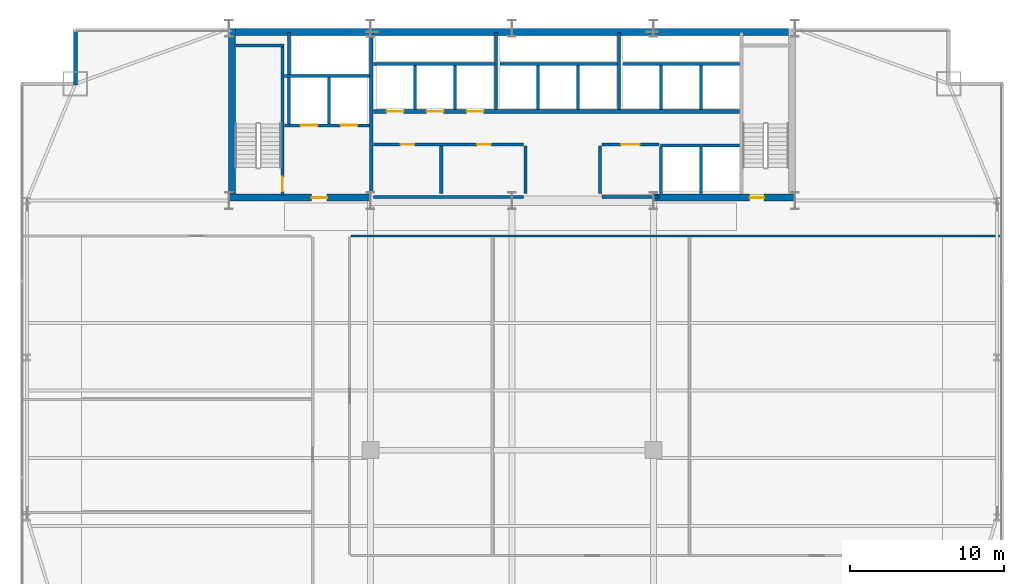
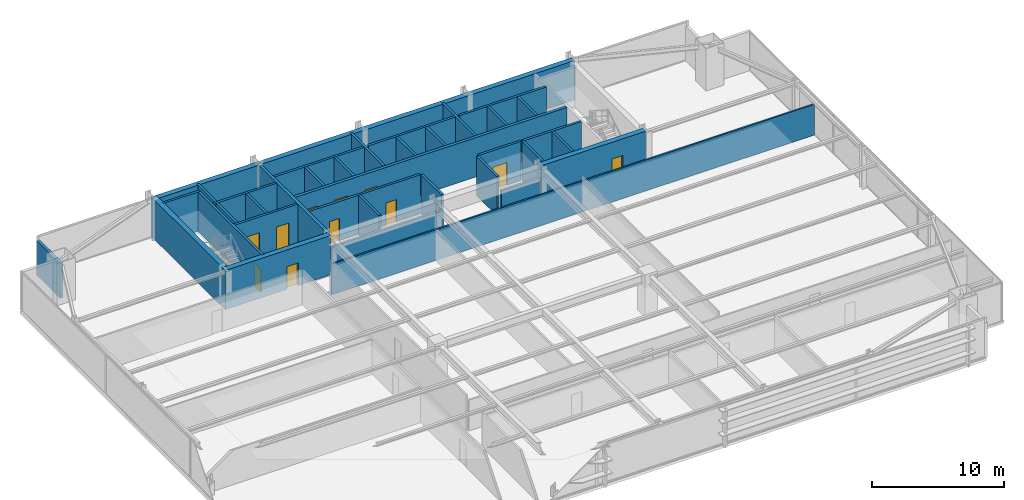
# One storey, part 29 of 32: 35 walls, 11 doors, 11 openings.
"""IFC4 building model written with IfcOpenShell, lengths in metres."""

from ifc_helpers import new_model, si_unit, direction, frame, frame_2d, origin, place, context, subcontext, project, spatial, rectangle, extrude, source, transform, mapped, material, layer, layer_set, type_object, type_shapes, element, fill, save


model = new_model("IFC4")

# Units and contexts
model_context = context("Model", 3, precision=1e-05, world=origin(), true_north=direction((0.0, 1.0)))
body_context = subcontext(model_context, "Body", "Model", "MODEL_VIEW")
ifc_project = project(units=[si_unit("LENGTHUNIT", "METRE"), si_unit("AREAUNIT", "SQUARE_METRE"), si_unit("VOLUMEUNIT", "CUBIC_METRE"), si_unit("PLANEANGLEUNIT", "RADIAN"), si_unit("MASSUNIT", "GRAM", prefix="KILO")], contexts=[model_context])

# Site, building, storey
site_placement = place(None, origin())
site = spatial("IfcSite", under=ifc_project, at=site_placement, CompositionType="ELEMENT")
building_placement = place(site_placement, origin())
building = spatial("IfcBuilding", under=site, at=building_placement, Name="Varnel Quay Broadcast Tower", CompositionType="ELEMENT")
storey_placement = place(building_placement, frame((0.0, 0.0, 54.89990234375)))
storey = spatial("IfcBuildingStorey", under=building, at=storey_placement, Name="L12", CompositionType="ELEMENT", Elevation=54.89990234375)

# Wall, opening, door
ifc_material_1 = material(Name="Concrete CSA A23.3 C50/60", Category="concrete")
ifc_layer_1 = layer(ifc_material_1, 0.199951171875, Name="Concrete CSA A23.3 C50/60")
ifc_layer_set_1 = layer_set([ifc_layer_1], Name="Concrete CSA A23.3 C50/60")
wall_type_1 = type_object("IfcWallType", Name="Wall_CoreShaftShear200", PredefinedType="SHEAR", material=ifc_layer_set_1)
wall_1_placement = place(storey_placement, frame((19.080078125, 35.949951171875, 0.0), z_axis=(0.0, 0.0, 1.0), x_axis=(0.0, 1.0, 0.0)))
wall_1 = element("IfcWall", 1, at=wall_1_placement, inside=storey, type_object=wall_type_1, Name="L12 Stair 1 East Structural Wall", PredefinedType="SHEAR", context=body_context, shape_type="SweptSolid", body=[
    extrude(rectangle(XDim=9.650146484375, YDim=0.199951171875, at=frame_2d((4.8251953125, 0.0))), origin(), (0.0, 0.0, 1.0), 3.650146484375),
])
opening_1_placement = place(wall_1_placement, frame((0.25, 0.0, 0.0)))
opening_1 = element("IfcOpeningElement", 2, at=opening_1_placement, cuts=wall_1, Name="Opening D-L12-S1", PredefinedType="OPENING", context=body_context, shape_type="SweptSolid", body=[
    extrude(rectangle(XDim=0.949951171875, YDim=2.10009765625, at=frame_2d((0.47509765625, 1.050048828125))), frame((0.0, 0.10986328125, 0.0), z_axis=(0.0, -1.0, 0.0), x_axis=(1.0, 0.0, 0.0)), (0.0, 0.0, 1.0), 0.219970703125),
])
ifc_material_2 = material(Name="Insulated Fire-Rated Hollow Steel Door", Category="steel")
door_type_1 = type_object("IfcDoorType", Name="Door_FireStair950", OperationType="NOTDEFINED", PredefinedType="DOOR", material=ifc_material_2)
shared_shape_1 = source(origin(), body_context, "Body", "SweptSolid", [
    extrude(rectangle(XDim=0.949951171875, YDim=2.10009765625, at=frame_2d((0.47509765625, 1.050048828125))), frame((0.0, 0.02490234375, 0.0), z_axis=(0.0, -1.0, 0.0), x_axis=(1.0, 0.0, 0.0)), (0.0, 0.0, 1.0), 0.050048828125),
])
type_shapes(door_type_1, [shared_shape_1])
door_1_placement = place(opening_1_placement, origin())
door_1 = element("IfcDoor", 3, at=door_1_placement, inside=storey, type_object=door_type_1, Name="L12 Stair 1 Fire Door", OperationType="SINGLE_SWING_LEFT", OverallHeight=2.10009765625, OverallWidth=0.949951171875, PredefinedType="DOOR", context=body_context, shape_type="MappedRepresentation", body=[
    mapped(shared_shape_1, transform((0.0, 0.0, 0.0), x_axis=(1.0, 0.0, 0.0), y_axis=(0.0, 1.0, 0.0), z_axis=(0.0, 0.0, 1.0), scale=1.0)),
])
fill(opening_1, door_1)

# Wall
wall_2_placement = place(storey_placement, frame((15.949951171875, 45.679931640625, 0.0), z_axis=(0.0, 0.0, 1.0), x_axis=(1.0, 0.0, 0.0)))
element("IfcWall", 4, at=wall_2_placement, inside=storey, type_object=wall_type_1, Name="L12 Stair 1 North Structural Wall", PredefinedType="SHEAR", context=body_context, shape_type="SweptSolid", body=[
    extrude(rectangle(XDim=3.22998046875, YDim=0.199951171875, at=frame_2d((1.614990234375, 0.0))), origin(), (0.0, 0.0, 1.0), 3.650146484375),
])

# Wall, openings, doors
wall_3_placement = place(storey_placement, frame((19.199951171875, 40.5, 0.0), z_axis=(0.0, 0.0, 1.0), x_axis=(1.0, 0.0, 0.0)))
wall_3 = element("IfcWall", 5, at=wall_3_placement, inside=storey, type_object=wall_type_1, Name="L12 Firefighter Lift Shaft Front Wall", PredefinedType="SHEAR", context=body_context, shape_type="SweptSolid", body=[
    extrude(rectangle(XDim=5.52001953125, YDim=0.199951171875, at=frame_2d((2.760009765625, 0.0))), origin(), (0.0, 0.0, 1.0), 3.650146484375),
])
opening_2_placement = place(wall_3_placement, frame((1.050048828125, 0.0, 0.0)))
opening_2 = element("IfcOpeningElement", 6, at=opening_2_placement, cuts=wall_3, Name="Opening LD-L12-FE1", PredefinedType="OPENING", context=body_context, shape_type="SweptSolid", body=[
    extrude(rectangle(XDim=1.10009765625, YDim=2.179931640625, at=frame_2d((0.550048828125, 1.08984375))), frame((0.0, 0.10986328125, 0.0), z_axis=(0.0, -1.0, 0.0), x_axis=(1.0, 0.0, 0.0)), (0.0, 0.0, 1.0), 0.219970703125),
])
opening_3_placement = place(wall_3_placement, frame((3.64990234375, 0.0, 0.0)))
opening_3 = element("IfcOpeningElement", 7, at=opening_3_placement, cuts=wall_3, Name="Opening LD-L12-FE2", PredefinedType="OPENING", context=body_context, shape_type="SweptSolid", body=[
    extrude(rectangle(XDim=1.10009765625, YDim=2.179931640625, at=frame_2d((0.550048828125, 1.08984375))), frame((0.0, 0.10986328125, 0.0), z_axis=(0.0, -1.0, 0.0), x_axis=(1.0, 0.0, 0.0)), (0.0, 0.0, 1.0), 0.219970703125),
])
ifc_material_3 = material(Name="Brushed Bronze-Stainless Lift Car & Sliding Doors", Category="steel")
door_type_2 = type_object("IfcDoorType", Name="Door_LiftLanding1100", OperationType="SLIDING_TO_LEFT", PredefinedType="DOOR", material=ifc_material_3)
shared_shape_2 = source(origin(), body_context, "Body", "SweptSolid", [
    extrude(rectangle(XDim=1.10009765625, YDim=2.179931640625, at=frame_2d((0.550048828125, 1.08984375))), frame((0.0, 0.02490234375, 0.0), z_axis=(0.0, -1.0, 0.0), x_axis=(1.0, 0.0, 0.0)), (0.0, 0.0, 1.0), 0.050048828125),
])
type_shapes(door_type_2, [shared_shape_2])
door_2_placement = place(opening_2_placement, frame((1.10009765625, 0.0, 0.0), z_axis=(0.0, 0.0, 1.0), x_axis=(-1.0, 0.0, 0.0)))
door_2 = element("IfcDoor", 8, at=door_2_placement, inside=storey, type_object=door_type_2, Name="L12 Firefighter Lift FE-01 Landing Door", OperationType="SLIDING_TO_LEFT", OverallHeight=2.179931640625, OverallWidth=1.10009765625, PredefinedType="DOOR", context=body_context, shape_type="MappedRepresentation", body=[
    mapped(shared_shape_2, transform((0.0, 0.0, 0.0), x_axis=(1.0, 0.0, 0.0), y_axis=(0.0, 1.0, 0.0), z_axis=(0.0, 0.0, 1.0), scale=1.0)),
])
fill(opening_2, door_2)
door_3_placement = place(opening_3_placement, frame((1.10009765625, 0.0, 0.0), z_axis=(0.0, 0.0, 1.0), x_axis=(-1.0, 0.0, 0.0)))
door_3 = element("IfcDoor", 9, at=door_3_placement, inside=storey, type_object=door_type_2, Name="L12 Firefighter Lift FE-02 Landing Door", OperationType="SLIDING_TO_RIGHT", OverallHeight=2.179931640625, OverallWidth=1.10009765625, PredefinedType="DOOR", context=body_context, shape_type="MappedRepresentation", body=[
    mapped(shared_shape_2, transform((0.0, 0.0, 0.0), x_axis=(1.0, 0.0, 0.0), y_axis=(0.0, 1.0, 0.0), z_axis=(0.0, 0.0, 1.0), scale=1.0)),
])
fill(opening_3, door_3)

# Walls
wall_4_placement = place(storey_placement, frame((19.199951171875, 43.699951171875, 0.0), z_axis=(0.0, 0.0, 1.0), x_axis=(1.0, 0.0, 0.0)))
element("IfcWall", 10, at=wall_4_placement, inside=storey, type_object=wall_type_1, Name="L12 Firefighter Lift Shaft Rear Wall", PredefinedType="SHEAR", context=body_context, shape_type="SweptSolid", body=[
    extrude(rectangle(XDim=5.52001953125, YDim=0.199951171875, at=frame_2d((2.760009765625, 0.0))), origin(), (0.0, 0.0, 1.0), 3.650146484375),
])
wall_5_placement = place(storey_placement, frame((22.10009765625, 40.60009765625, 0.0), z_axis=(0.0, 0.0, 1.0), x_axis=(0.0, 1.0, 0.0)))
element("IfcWall", 11, at=wall_5_placement, inside=storey, type_object=wall_type_1, Name="L12 Firefighter Lift Shaft Divider", PredefinedType="SHEAR", context=body_context, shape_type="SweptSolid", body=[
    extrude(rectangle(XDim=3.0, YDim=0.199951171875, at=frame_2d((1.5, 0.0))), origin(), (0.0, 0.0, 1.0), 3.650146484375),
])
wall_6_placement = place(storey_placement, frame((19.5, 40.60009765625, 0.0), z_axis=(0.0, 0.0, 1.0), x_axis=(0.0, 1.0, 0.0)))
element("IfcWall", 12, at=wall_6_placement, inside=storey, type_object=wall_type_1, Name="L12 Firefighter Lift Shaft West Wall", PredefinedType="SHEAR", context=body_context, shape_type="SweptSolid", body=[
    extrude(rectangle(XDim=5.949951171875, YDim=0.199951171875, at=frame_2d((2.97509765625, 0.0))), origin(), (0.0, 0.0, 1.0), 3.650146484375),
])
wall_7_placement = place(storey_placement, frame((24.97998046875, 44.5, 0.0), z_axis=(0.0, 0.0, 1.0), x_axis=(1.0, 0.0, 0.0)))
element("IfcWall", 13, at=wall_7_placement, inside=storey, type_object=wall_type_1, Name="L12 Low-Rise Lift Shaft Rear Wall", PredefinedType="SHEAR", context=body_context, shape_type="SweptSolid", body=[
    extrude(rectangle(XDim=7.8701171875, YDim=0.199951171875, at=frame_2d((3.93505859375, 0.0))), origin(), (0.0, 0.0, 1.0), 3.650146484375),
])
for number, where, z_axis, x_axis, name in (
    (14, (27.699951171875, 41.530029296875, 0.0), (0.0, 0.0, 1.0), (0.0, 1.0, 0.0), "L12 Low-Rise Lift Shaft Divider 1"),
    (15, (30.300048828125, 41.530029296875, 0.0), (0.0, 0.0, 1.0), (0.0, 1.0, 0.0), "L12 Low-Rise Lift Shaft Divider 2"),
):
    element("IfcWall", number, at=place(storey_placement, frame(where, z_axis=z_axis, x_axis=x_axis)), inside=storey, type_object=wall_type_1, Name=name, PredefinedType="SHEAR", context=body_context, shape_type="SweptSolid", body=[
        extrude(rectangle(XDim=2.869873046875, YDim=0.199951171875, at=frame_2d((1.43505859375, 0.0))), origin(), (0.0, 0.0, 1.0), 3.650146484375),
    ])
wall_8_placement = place(storey_placement, frame((32.949951171875, 41.530029296875, 0.0), z_axis=(0.0, 0.0, 1.0), x_axis=(0.0, 1.0, 0.0)))
element("IfcWall", 16, at=wall_8_placement, inside=storey, type_object=wall_type_1, Name="L12 Low-Rise Lift Shaft Divider 3", PredefinedType="SHEAR", context=body_context, shape_type="SweptSolid", body=[
    extrude(rectangle(XDim=5.02001953125, YDim=0.199951171875, at=frame_2d((2.510009765625, 0.0))), origin(), (0.0, 0.0, 1.0), 3.650146484375),
])
wall_9_placement = place(storey_placement, frame((33.219970703125, 44.5, 0.0), z_axis=(0.0, 0.0, 1.0), x_axis=(1.0, 0.0, 0.0)))
element("IfcWall", 17, at=wall_9_placement, inside=storey, type_object=wall_type_1, Name="L12 Mid-Rise Lift Shaft Rear Wall", PredefinedType="SHEAR", context=body_context, shape_type="SweptSolid", body=[
    extrude(rectangle(XDim=7.630126953125, YDim=0.199951171875, at=frame_2d((3.81494140625, 0.0))), origin(), (0.0, 0.0, 1.0), 3.650146484375),
])
for number, where, z_axis, x_axis, name in (
    (18, (35.699951171875, 41.530029296875, 0.0), (0.0, 0.0, 1.0), (0.0, 1.0, 0.0), "L12 Mid-Rise Lift Shaft Divider 2"),
    (19, (38.300048828125, 41.530029296875, 0.0), (0.0, 0.0, 1.0), (0.0, 1.0, 0.0), "L12 Mid-Rise Lift Shaft Divider 3"),
):
    element("IfcWall", number, at=place(storey_placement, frame(where, z_axis=z_axis, x_axis=x_axis)), inside=storey, type_object=wall_type_1, Name=name, PredefinedType="SHEAR", context=body_context, shape_type="SweptSolid", body=[
        extrude(rectangle(XDim=2.869873046875, YDim=0.199951171875, at=frame_2d((1.43505859375, 0.0))), origin(), (0.0, 0.0, 1.0), 3.650146484375),
    ])
wall_10_placement = place(storey_placement, frame((40.949951171875, 41.530029296875, 0.0), z_axis=(0.0, 0.0, 1.0), x_axis=(0.0, 1.0, 0.0)))
element("IfcWall", 20, at=wall_10_placement, inside=storey, type_object=wall_type_1, Name="L12 Mid-Rise Lift Shaft Divider 4", PredefinedType="SHEAR", context=body_context, shape_type="SweptSolid", body=[
    extrude(rectangle(XDim=5.02001953125, YDim=0.199951171875, at=frame_2d((2.510009765625, 0.0))), origin(), (0.0, 0.0, 1.0), 3.650146484375),
])
wall_11_placement = place(storey_placement, frame((41.219970703125, 44.5, 0.0), z_axis=(0.0, 0.0, 1.0), x_axis=(1.0, 0.0, 0.0)))
element("IfcWall", 21, at=wall_11_placement, inside=storey, type_object=wall_type_1, Name="L12 High-Rise Lift Shaft Rear Wall", PredefinedType="SHEAR", context=body_context, shape_type="SweptSolid", body=[
    extrude(rectangle(XDim=7.580078125, YDim=0.199951171875, at=frame_2d((3.7900390625, 0.0))), origin(), (0.0, 0.0, 1.0), 3.650146484375),
])
for number, where, z_axis, x_axis, name in (
    (22, (43.699951171875, 41.530029296875, 0.0), (0.0, 0.0, 1.0), (0.0, 1.0, 0.0), "L12 High-Rise Lift Shaft Divider 2"),
    (23, (46.300048828125, 41.530029296875, 0.0), (0.0, 0.0, 1.0), (0.0, 1.0, 0.0), "L12 High-Rise Lift Shaft Divider 3"),
):
    element("IfcWall", number, at=place(storey_placement, frame(where, z_axis=z_axis, x_axis=x_axis)), inside=storey, type_object=wall_type_1, Name=name, PredefinedType="SHEAR", context=body_context, shape_type="SweptSolid", body=[
        extrude(rectangle(XDim=2.869873046875, YDim=0.199951171875, at=frame_2d((1.43505859375, 0.0))), origin(), (0.0, 0.0, 1.0), 3.650146484375),
    ])
for number, where, z_axis, x_axis, name in (
    (24, (43.699951171875, 36.050048828125, 0.0), (0.0, 0.0, 1.0), (0.0, 1.0, 0.0), "L12 Express Lift Shaft West Wall"),
    (25, (46.300048828125, 36.050048828125, 0.0), (0.0, 0.0, 1.0), (0.0, 1.0, 0.0), "L12 Express Lift Shaft Divider"),
):
    element("IfcWall", number, at=place(storey_placement, frame(where, z_axis=z_axis, x_axis=x_axis)), inside=storey, type_object=wall_type_1, Name=name, PredefinedType="SHEAR", context=body_context, shape_type="SweptSolid", body=[
        extrude(rectangle(XDim=3.050048828125, YDim=0.199951171875, at=frame_2d((1.52490234375, 0.0))), origin(), (0.0, 0.0, 1.0), 3.650146484375),
    ])
wall_12_placement = place(storey_placement, frame((43.64990234375, 39.199951171875, 0.0), z_axis=(0.0, 0.0, 1.0), x_axis=(1.0, 0.0, 0.0)))
element("IfcWall", 26, at=wall_12_placement, inside=storey, type_object=wall_type_1, Name="L12 Express Lift Shaft North Front Wall", PredefinedType="SHEAR", context=body_context, shape_type="SweptSolid", body=[
    extrude(rectangle(XDim=5.150146484375, YDim=0.199951171875, at=frame_2d((2.5751953125, 0.0))), origin(), (0.0, 0.0, 1.0), 3.650146484375),
])
ifc_layer_2 = layer(ifc_material_1, 0.25, Name="Concrete CSA A23.3 C50/60")
ifc_layer_set_2 = layer_set([ifc_layer_2], Name="Concrete CSA A23.3 C50/60")
wall_type_2 = type_object("IfcWallType", Name="Wall_CoreShaftShear250", PredefinedType="SHEAR", material=ifc_layer_set_2)
wall_13_placement = place(storey_placement, frame((24.85009765625, 36.050048828125, 0.0), z_axis=(0.0, 0.0, 1.0), x_axis=(0.0, 1.0, 0.0)))
element("IfcWall", 27, at=wall_13_placement, inside=storey, type_object=wall_type_2, Name="L12 Firefighting Lobby East Structural Wall", PredefinedType="SHEAR", context=body_context, shape_type="SweptSolid", body=[
    extrude(rectangle(XDim=10.449951171875, YDim=0.25, at=frame_2d((5.22509765625, 0.0))), origin(), (0.0, 0.0, 1.0), 3.650146484375),
])

# Wall, openings, doors
wall_14_placement = place(storey_placement, frame((24.97998046875, 41.39990234375, 0.0), z_axis=(0.0, 0.0, 1.0), x_axis=(1.0, 0.0, 0.0)))
wall_14 = element("IfcWall", 28, at=wall_14_placement, inside=storey, type_object=wall_type_2, Name="L12 North Lift Bank & Reclaimed Suite Wall", PredefinedType="SHEAR", context=body_context, shape_type="SweptSolid", body=[
    extrude(rectangle(XDim=23.820068359375, YDim=0.25, at=frame_2d((11.91015625, 0.0))), origin(), (0.0, 0.0, 1.0), 3.650146484375),
])
opening_4_placement = place(wall_14_placement, frame((0.8701171875, 0.0, 0.0)))
opening_4 = element("IfcOpeningElement", 29, at=opening_4_placement, cuts=wall_14, Name="Opening LD-L12-PL-01", PredefinedType="OPENING", context=body_context, shape_type="SweptSolid", body=[
    extrude(rectangle(XDim=1.10009765625, YDim=2.179931640625, at=frame_2d((0.550048828125, 1.08984375))), frame((0.0, 0.135009765625, 0.0), z_axis=(0.0, -1.0, 0.0), x_axis=(1.0, 0.0, 0.0)), (0.0, 0.0, 1.0), 0.27001953125),
])
opening_5_placement = place(wall_14_placement, frame((3.469970703125, 0.0, 0.0)))
opening_5 = element("IfcOpeningElement", 30, at=opening_5_placement, cuts=wall_14, Name="Opening LD-L12-PL-02", PredefinedType="OPENING", context=body_context, shape_type="SweptSolid", body=[
    extrude(rectangle(XDim=1.10009765625, YDim=2.179931640625, at=frame_2d((0.550048828125, 1.08984375))), frame((0.0, 0.135009765625, 0.0), z_axis=(0.0, -1.0, 0.0), x_axis=(1.0, 0.0, 0.0)), (0.0, 0.0, 1.0), 0.27001953125),
])
opening_6_placement = place(wall_14_placement, frame((6.070068359375, 0.0, 0.0)))
opening_6 = element("IfcOpeningElement", 31, at=opening_6_placement, cuts=wall_14, Name="Opening LD-L12-PL-03", PredefinedType="OPENING", context=body_context, shape_type="SweptSolid", body=[
    extrude(rectangle(XDim=1.10009765625, YDim=2.179931640625, at=frame_2d((0.550048828125, 1.08984375))), frame((0.0, 0.135009765625, 0.0), z_axis=(0.0, -1.0, 0.0), x_axis=(1.0, 0.0, 0.0)), (0.0, 0.0, 1.0), 0.27001953125),
])
door_4_placement = place(opening_4_placement, frame((1.10009765625, 0.0, 0.0), z_axis=(0.0, 0.0, 1.0), x_axis=(-1.0, 0.0, 0.0)))
door_4 = element("IfcDoor", 32, at=door_4_placement, inside=storey, type_object=door_type_2, Name="L12 Lift PL-01 Landing Door", OperationType="SLIDING_TO_LEFT", OverallHeight=2.179931640625, OverallWidth=1.10009765625, PredefinedType="DOOR", context=body_context, shape_type="MappedRepresentation", body=[
    mapped(shared_shape_2, transform((0.0, 0.0, 0.0), x_axis=(1.0, 0.0, 0.0), y_axis=(0.0, 1.0, 0.0), z_axis=(0.0, 0.0, 1.0), scale=1.0)),
])
fill(opening_4, door_4)
door_5_placement = place(opening_5_placement, frame((1.10009765625, 0.0, 0.0), z_axis=(0.0, 0.0, 1.0), x_axis=(-1.0, 0.0, 0.0)))
door_5 = element("IfcDoor", 33, at=door_5_placement, inside=storey, type_object=door_type_2, Name="L12 Lift PL-02 Landing Door", OperationType="SLIDING_TO_LEFT", OverallHeight=2.179931640625, OverallWidth=1.10009765625, PredefinedType="DOOR", context=body_context, shape_type="MappedRepresentation", body=[
    mapped(shared_shape_2, transform((0.0, 0.0, 0.0), x_axis=(1.0, 0.0, 0.0), y_axis=(0.0, 1.0, 0.0), z_axis=(0.0, 0.0, 1.0), scale=1.0)),
])
fill(opening_5, door_5)
door_6_placement = place(opening_6_placement, frame((1.10009765625, 0.0, 0.0), z_axis=(0.0, 0.0, 1.0), x_axis=(-1.0, 0.0, 0.0)))
door_6 = element("IfcDoor", 34, at=door_6_placement, inside=storey, type_object=door_type_2, Name="L12 Lift PL-03 Landing Door", OperationType="SLIDING_TO_LEFT", OverallHeight=2.179931640625, OverallWidth=1.10009765625, PredefinedType="DOOR", context=body_context, shape_type="MappedRepresentation", body=[
    mapped(shared_shape_2, transform((0.0, 0.0, 0.0), x_axis=(1.0, 0.0, 0.0), y_axis=(0.0, 1.0, 0.0), z_axis=(0.0, 0.0, 1.0), scale=1.0)),
])
fill(opening_6, door_6)

# Walls
ifc_material_4 = material(Name="Concrete CSA A23.3 C60/75", Category="concrete")
ifc_layer_3 = layer(ifc_material_4, 0.449951171875, Name="Concrete CSA A23.3 C60/75")
ifc_layer_set_3 = layer_set([ifc_layer_3], Name="Concrete CSA A23.3 C60/75")
wall_type_3 = type_object("IfcWallType", Name="Wall_CoreShearExt450", PredefinedType="SHEAR", material=ifc_layer_set_3)
wall_15_placement = place(storey_placement, frame((15.60009765625, 46.574951171875, 0.0), z_axis=(0.0, 0.0, 1.0), x_axis=(1.0, 0.0, 0.0)))
element("IfcWall", 35, at=wall_15_placement, inside=storey, type_object=wall_type_3, Name="L12 North Core Shear Wall", PredefinedType="SHEAR", context=body_context, shape_type="SweptSolid", body=[
    extrude(rectangle(XDim=36.7998046875, YDim=0.449951171875, at=frame_2d((18.39990234375, 0.0))), origin(), (0.0, 0.0, 1.0), 3.650146484375),
])
ifc_layer_4 = layer(ifc_material_4, 0.449951171875, Name="Concrete CSA A23.3 C60/75")
ifc_layer_set_4 = layer_set([ifc_layer_4], Name="Concrete CSA A23.3 C60/75")
wall_type_4 = type_object("IfcWallType", Name="Wall_CoreShearInt450", PredefinedType="SHEAR", material=ifc_layer_set_4)
wall_16_placement = place(storey_placement, frame((15.794921875, 35.570068359375, 0.0), z_axis=(0.0, 0.0, 1.0), x_axis=(0.0, 1.0, 0.0)))
element("IfcWall", 36, at=wall_16_placement, inside=storey, type_object=wall_type_4, Name="L12 West Core Shear Wall", PredefinedType="SHEAR", context=body_context, shape_type="SweptSolid", body=[
    extrude(rectangle(XDim=11.22998046875, YDim=0.449951171875, at=frame_2d((5.614990234375, 0.0))), origin(), (0.0, 0.0, 1.0), 3.650146484375),
])

# Wall, opening, door
wall_17_placement = place(storey_placement, frame((15.570068359375, 35.794921875, 0.0), z_axis=(0.0, 0.0, 1.0), x_axis=(1.0, 0.0, 0.0)))
wall_17 = element("IfcWall", 37, at=wall_17_placement, inside=storey, type_object=wall_type_4, Name="L12 South-West Core Shear Wall", PredefinedType="SHEAR", context=body_context, shape_type="SweptSolid", body=[
    extrude(rectangle(XDim=9.22998046875, YDim=0.449951171875, at=frame_2d((4.614990234375, 0.0))), origin(), (0.0, 0.0, 1.0), 3.650146484375),
])
opening_7_placement = place(wall_17_placement, frame((5.39990234375, 0.0, 0.0)))
opening_7 = element("IfcOpeningElement", 38, at=opening_7_placement, cuts=wall_17, Name="Opening D-L12-FFL", PredefinedType="OPENING", context=body_context, shape_type="SweptSolid", body=[
    extrude(rectangle(XDim=1.0, YDim=2.10009765625, at=frame_2d((0.5, 1.050048828125))), frame((0.0, 0.23486328125, 0.0), z_axis=(0.0, -1.0, 0.0), x_axis=(1.0, 0.0, 0.0)), (0.0, 0.0, 1.0), 0.469970703125),
])
door_type_3 = type_object("IfcDoorType", Name="Door_FireLobby1000", OperationType="NOTDEFINED", PredefinedType="DOOR", material=ifc_material_2)
shared_shape_3 = source(origin(), body_context, "Body", "SweptSolid", [
    extrude(rectangle(XDim=1.0, YDim=2.10009765625, at=frame_2d((0.5, 1.050048828125))), frame((0.0, 0.02490234375, 0.0), z_axis=(0.0, -1.0, 0.0), x_axis=(1.0, 0.0, 0.0)), (0.0, 0.0, 1.0), 0.050048828125),
])
type_shapes(door_type_3, [shared_shape_3])
door_7_placement = place(opening_7_placement, origin())
door_7 = element("IfcDoor", 39, at=door_7_placement, inside=storey, type_object=door_type_3, Name="L12 Firefighting Lobby Door", OperationType="SINGLE_SWING_RIGHT", OverallHeight=2.10009765625, OverallWidth=1.0, PredefinedType="DOOR", context=body_context, shape_type="MappedRepresentation", body=[
    mapped(shared_shape_3, transform((0.0, 0.0, 0.0), x_axis=(1.0, 0.0, 0.0), y_axis=(0.0, 1.0, 0.0), z_axis=(0.0, 0.0, 1.0), scale=1.0)),
])
fill(opening_7, door_7)

wall_18_placement = place(storey_placement, frame((43.199951171875, 35.794921875, 0.0), z_axis=(0.0, 0.0, 1.0), x_axis=(1.0, 0.0, 0.0)))
wall_18 = element("IfcWall", 40, at=wall_18_placement, inside=storey, type_object=wall_type_4, Name="L12 South-East Core Shear Wall", PredefinedType="SHEAR", context=body_context, shape_type="SweptSolid", body=[
    extrude(rectangle(XDim=9.22998046875, YDim=0.449951171875, at=frame_2d((4.614990234375, 0.0))), origin(), (0.0, 0.0, 1.0), 3.650146484375),
])
opening_8_placement = place(wall_18_placement, frame((6.25, 0.0, 0.0)))
opening_8 = element("IfcOpeningElement", 41, at=opening_8_placement, cuts=wall_18, Name="Opening D-L12-S2", PredefinedType="OPENING", context=body_context, shape_type="SweptSolid", body=[
    extrude(rectangle(XDim=0.949951171875, YDim=2.10009765625, at=frame_2d((0.47509765625, 1.050048828125))), frame((0.0, 0.23486328125, 0.0), z_axis=(0.0, -1.0, 0.0), x_axis=(1.0, 0.0, 0.0)), (0.0, 0.0, 1.0), 0.469970703125),
])
door_8_placement = place(opening_8_placement, origin())
door_8 = element("IfcDoor", 42, at=door_8_placement, inside=storey, type_object=door_type_1, Name="L12 Stair 2 Fire Door", OperationType="SINGLE_SWING_LEFT", OverallHeight=2.10009765625, OverallWidth=0.949951171875, PredefinedType="DOOR", context=body_context, shape_type="MappedRepresentation", body=[
    mapped(shared_shape_1, transform((0.0, 0.0, 0.0), x_axis=(1.0, 0.0, 0.0), y_axis=(0.0, 1.0, 0.0), z_axis=(0.0, 0.0, 1.0), scale=1.0)),
])
fill(opening_8, door_8)

# Walls
ifc_material_5 = material(Name="Precast Architectural Concrete C40/50", Category="concrete")
ifc_layer_5 = layer(ifc_material_5, 0.25, Name="Precast Architectural Concrete C40/50")
ifc_layer_set_5 = layer_set([ifc_layer_5], Name="Precast Architectural Concrete C40/50")
wall_type_5 = type_object("IfcWallType", Name="Wall_ExtTerrace250", PredefinedType="SOLIDWALL", material=ifc_layer_set_5)
wall_19_placement = place(storey_placement, frame((5.60009765625, 43.1201171875, 0.0), z_axis=(0.0, 0.0, 1.0), x_axis=(0.0, 1.0, 0.0)))
element("IfcWall", 43, at=wall_19_placement, inside=storey, type_object=wall_type_5, Name="L12 Mega-Column Notch Cladding Wall NNW2", PredefinedType="SOLIDWALL", context=body_context, shape_type="SweptSolid", body=[
    extrude(rectangle(XDim=3.599853515625, YDim=0.25, at=frame_2d((1.7998046875, 0.0))), origin(), (0.0, 0.0, 1.0), 3.2080078125),
])
ifc_material_6 = material(Name="Concrete Blockwork Fire Enclosure C40/50", Category="masonry")
ifc_layer_6 = layer(ifc_material_6, 0.199951171875, Name="Concrete Blockwork Fire Enclosure C40/50")
ifc_layer_set_6 = layer_set([ifc_layer_6], Name="Concrete Blockwork Fire Enclosure C40/50")
wall_type_6 = type_object("IfcWallType", Name="Wall_FireShaft200", PredefinedType="SOLIDWALL", material=ifc_layer_set_6)
wall_20_placement = place(storey_placement, frame((39.85009765625, 35.824951171875, 0.0), z_axis=(0.0, 0.0, 1.0), x_axis=(1.0, 0.0, 0.0)))
element("IfcWall", 44, at=wall_20_placement, inside=storey, type_object=wall_type_6, Name="L12 Electrical Sub-Distribution Closet Partition 5", PredefinedType="SOLIDWALL", context=body_context, shape_type="SweptSolid", body=[
    extrude(rectangle(XDim=3.699951171875, YDim=0.199951171875, at=frame_2d((1.85009765625, 0.0))), origin(), (0.0, 0.0, 1.0), 2.425048828125),
])

# Wall, opening, door
wall_21_placement = place(storey_placement, frame((39.85009765625, 39.25, 0.0), z_axis=(0.0, 0.0, 1.0), x_axis=(1.0, 0.0, 0.0)))
wall_21 = element("IfcWall", 45, at=wall_21_placement, inside=storey, type_object=wall_type_6, Name="L12 Electrical Sub-Distribution Closet Partition 6", PredefinedType="SOLIDWALL", context=body_context, shape_type="SweptSolid", body=[
    extrude(rectangle(XDim=3.699951171875, YDim=0.199951171875, at=frame_2d((1.85009765625, 0.0))), origin(), (0.0, 0.0, 1.0), 3.630126953125),
])
opening_9_placement = place(wall_21_placement, frame((1.25, 0.0, 0.0)))
opening_9 = element("IfcOpeningElement", 46, at=opening_9_placement, cuts=wall_21, Name="Opening D-L12-03", PredefinedType="OPENING", context=body_context, shape_type="SweptSolid", body=[
    extrude(rectangle(XDim=1.199951171875, YDim=2.10009765625, at=frame_2d((0.60009765625, 1.050048828125))), frame((0.0, 0.10986328125, 0.0), z_axis=(0.0, -1.0, 0.0), x_axis=(1.0, 0.0, 0.0)), (0.0, 0.0, 1.0), 0.219970703125),
])
door_type_4 = type_object("IfcDoorType", Name="Door_Plant1200", OperationType="NOTDEFINED", PredefinedType="DOOR", material=ifc_material_2)
shared_shape_4 = source(origin(), body_context, "Body", "SweptSolid", [
    extrude(rectangle(XDim=1.199951171875, YDim=2.10009765625, at=frame_2d((0.60009765625, 1.050048828125))), frame((0.0, 0.02490234375, 0.0), z_axis=(0.0, -1.0, 0.0), x_axis=(1.0, 0.0, 0.0)), (0.0, 0.0, 1.0), 0.050048828125),
])
type_shapes(door_type_4, [shared_shape_4])
door_9_placement = place(opening_9_placement, origin())
door_9 = element("IfcDoor", 47, at=door_9_placement, inside=storey, type_object=door_type_4, Name="L12 Electrical Sub-Distribution Closet Door D-L12-03", OperationType="SINGLE_SWING_RIGHT", OverallHeight=2.10009765625, OverallWidth=1.199951171875, PredefinedType="DOOR", context=body_context, shape_type="MappedRepresentation", body=[
    mapped(shared_shape_4, transform((0.0, 0.0, 0.0), x_axis=(1.0, 0.0, 0.0), y_axis=(0.0, 1.0, 0.0), z_axis=(0.0, 0.0, 1.0), scale=1.0)),
])
fill(opening_9, door_9)

# Walls
wall_22_placement = place(storey_placement, frame((39.72509765625, 36.050048828125, 0.0), z_axis=(0.0, 0.0, 1.0), x_axis=(0.0, 1.0, 0.0)))
element("IfcWall", 48, at=wall_22_placement, inside=storey, type_object=wall_type_6, Name="L12 Electrical Sub-Distribution Closet Partition 7", PredefinedType="SOLIDWALL", context=body_context, shape_type="SweptSolid", body=[
    extrude(rectangle(XDim=3.099853515625, YDim=0.199951171875, at=frame_2d((1.5498046875, 0.0))), origin(), (0.0, 0.0, 1.0), 3.630126953125),
])
ifc_material_7 = material(Name="Steel-Stud Fire-Rated Acoustic Gypsum Partition Assembly", Category="steel")
ifc_layer_7 = layer(ifc_material_7, 0.139892578125, Name="Steel-Stud Fire-Rated Acoustic Gypsum Partition Assembly")
ifc_layer_set_7 = layer_set([ifc_layer_7], Name="Steel-Stud Fire-Rated Acoustic Gypsum Partition Assembly")
wall_type_7 = type_object("IfcWallType", Name="Wall_Partition140", PredefinedType="PARTITIONING", material=ifc_layer_set_7)
wall_23_placement = place(storey_placement, frame((23.5400390625, 33.300048828125, 0.0), z_axis=(0.0, 0.0, 1.0), x_axis=(1.0, 0.0, 0.0)))
element("IfcWall", 49, at=wall_23_placement, inside=storey, type_object=wall_type_7, Name="L12 Press Green Lounge 7 Partition 18", PredefinedType="PARTITIONING", context=body_context, shape_type="SweptSolid", body=[
    extrude(rectangle(XDim=42.280029296875, YDim=0.139892578125, at=frame_2d((21.14013671875, 0.0))), origin(), (0.0, 0.0, 1.0), 2.85205078125),
])
ifc_material_8 = material(Name="Fire-Rated Moisture-Resistant Plumbing Chase Partition")
ifc_layer_8 = layer(ifc_material_8, 0.199951171875, Name="Fire-Rated Moisture-Resistant Plumbing Chase Partition")
ifc_layer_set_8 = layer_set([ifc_layer_8], Name="Fire-Rated Moisture-Resistant Plumbing Chase Partition")
wall_type_8 = type_object("IfcWallType", Name="Wall_Plumbing200", PredefinedType="PLUMBINGWALL", material=ifc_layer_set_8)
wall_24_placement = place(storey_placement, frame((25.0, 35.824951171875, 0.0), z_axis=(0.0, 0.0, 1.0), x_axis=(1.0, 0.0, 0.0)))
element("IfcWall", 50, at=wall_24_placement, inside=storey, type_object=wall_type_8, Name="L12 Accessible Washroom Partition 1", PredefinedType="PLUMBINGWALL", context=body_context, shape_type="SweptSolid", body=[
    extrude(rectangle(XDim=9.75, YDim=0.199951171875, at=frame_2d((4.875, 0.0))), origin(), (0.0, 0.0, 1.0), 2.425048828125),
])
wall_25_placement = place(storey_placement, frame((29.39990234375, 36.050048828125, 0.0), z_axis=(0.0, 0.0, 1.0), x_axis=(0.0, 1.0, 0.0)))
element("IfcWall", 51, at=wall_25_placement, inside=storey, type_object=wall_type_8, Name="L12 Accessible Washroom Partition 2", PredefinedType="PLUMBINGWALL", context=body_context, shape_type="SweptSolid", body=[
    extrude(rectangle(XDim=3.099853515625, YDim=0.199951171875, at=frame_2d((1.5498046875, 0.0))), origin(), (0.0, 0.0, 1.0), 3.630126953125),
])

# Wall, openings, doors
wall_26_placement = place(storey_placement, frame((25.0, 39.25, 0.0), z_axis=(0.0, 0.0, 1.0), x_axis=(1.0, 0.0, 0.0)))
wall_26 = element("IfcWall", 52, at=wall_26_placement, inside=storey, type_object=wall_type_8, Name="L12 Accessible Washroom Partition 3", PredefinedType="PLUMBINGWALL", context=body_context, shape_type="SweptSolid", body=[
    extrude(rectangle(XDim=9.75, YDim=0.199951171875, at=frame_2d((4.875, 0.0))), origin(), (0.0, 0.0, 1.0), 3.630126953125),
])
opening_10_placement = place(wall_26_placement, frame((1.75, 0.0, 0.0)))
opening_10 = element("IfcOpeningElement", 53, at=opening_10_placement, cuts=wall_26, Name="Opening D-L12-01", PredefinedType="OPENING", context=body_context, shape_type="SweptSolid", body=[
    extrude(rectangle(XDim=0.89990234375, YDim=2.06005859375, at=frame_2d((0.449951171875, 1.030029296875))), frame((0.0, 0.10986328125, 0.0), z_axis=(0.0, -1.0, 0.0), x_axis=(1.0, 0.0, 0.0)), (0.0, 0.0, 1.0), 0.219970703125),
])
opening_11_placement = place(wall_26_placement, frame((6.72509765625, 0.0, 0.0)))
opening_11 = element("IfcOpeningElement", 54, at=opening_11_placement, cuts=wall_26, Name="Opening D-L12-02", PredefinedType="OPENING", context=body_context, shape_type="SweptSolid", body=[
    extrude(rectangle(XDim=0.89990234375, YDim=2.06005859375, at=frame_2d((0.449951171875, 1.030029296875))), frame((0.0, 0.10986328125, 0.0), z_axis=(0.0, -1.0, 0.0), x_axis=(1.0, 0.0, 0.0)), (0.0, 0.0, 1.0), 0.219970703125),
])
ifc_material_9 = material(Name="Solid-Core Fire-Rated Acoustic Oak Veneer Door", Category="wood")
door_type_5 = type_object("IfcDoorType", Name="Door_Washroom900", OperationType="NOTDEFINED", PredefinedType="DOOR", material=ifc_material_9)
shared_shape_5 = source(origin(), body_context, "Body", "SweptSolid", [
    extrude(rectangle(XDim=0.89990234375, YDim=2.06005859375, at=frame_2d((0.449951171875, 1.030029296875))), frame((0.0, 0.02490234375, 0.0), z_axis=(0.0, -1.0, 0.0), x_axis=(1.0, 0.0, 0.0)), (0.0, 0.0, 1.0), 0.050048828125),
])
type_shapes(door_type_5, [shared_shape_5])
door_10_placement = place(opening_10_placement, frame((0.89990234375, 0.0, 0.0), z_axis=(0.0, 0.0, 1.0), x_axis=(-1.0, 0.0, 0.0)))
door_10 = element("IfcDoor", 55, at=door_10_placement, inside=storey, type_object=door_type_5, Name="L12 Accessible Washroom Door D-L12-01", OperationType="SINGLE_SWING_RIGHT", OverallHeight=2.06005859375, OverallWidth=0.89990234375, PredefinedType="DOOR", context=body_context, shape_type="MappedRepresentation", body=[
    mapped(shared_shape_5, transform((0.0, 0.0, 0.0), x_axis=(1.0, 0.0, 0.0), y_axis=(0.0, 1.0, 0.0), z_axis=(0.0, 0.0, 1.0), scale=1.0)),
])
fill(opening_10, door_10)
door_11_placement = place(opening_11_placement, frame((0.89990234375, 0.0, 0.0), z_axis=(0.0, 0.0, 1.0), x_axis=(-1.0, 0.0, 0.0)))
door_11 = element("IfcDoor", 56, at=door_11_placement, inside=storey, type_object=door_type_5, Name="L12 Staff Washrooms Door D-L12-02", OperationType="SINGLE_SWING_LEFT", OverallHeight=2.06005859375, OverallWidth=0.89990234375, PredefinedType="DOOR", context=body_context, shape_type="MappedRepresentation", body=[
    mapped(shared_shape_5, transform((0.0, 0.0, 0.0), x_axis=(1.0, 0.0, 0.0), y_axis=(0.0, 1.0, 0.0), z_axis=(0.0, 0.0, 1.0), scale=1.0)),
])
fill(opening_11, door_11)

# Wall
wall_27_placement = place(storey_placement, frame((34.875, 36.050048828125, 0.0), z_axis=(0.0, 0.0, 1.0), x_axis=(0.0, 1.0, 0.0)))
element("IfcWall", 57, at=wall_27_placement, inside=storey, type_object=wall_type_8, Name="L12 Staff Washrooms Partition 4", PredefinedType="PLUMBINGWALL", context=body_context, shape_type="SweptSolid", body=[
    extrude(rectangle(XDim=3.099853515625, YDim=0.199951171875, at=frame_2d((1.5498046875, 0.0))), origin(), (0.0, 0.0, 1.0), 3.630126953125),
])

save(model, "model.ifc")
